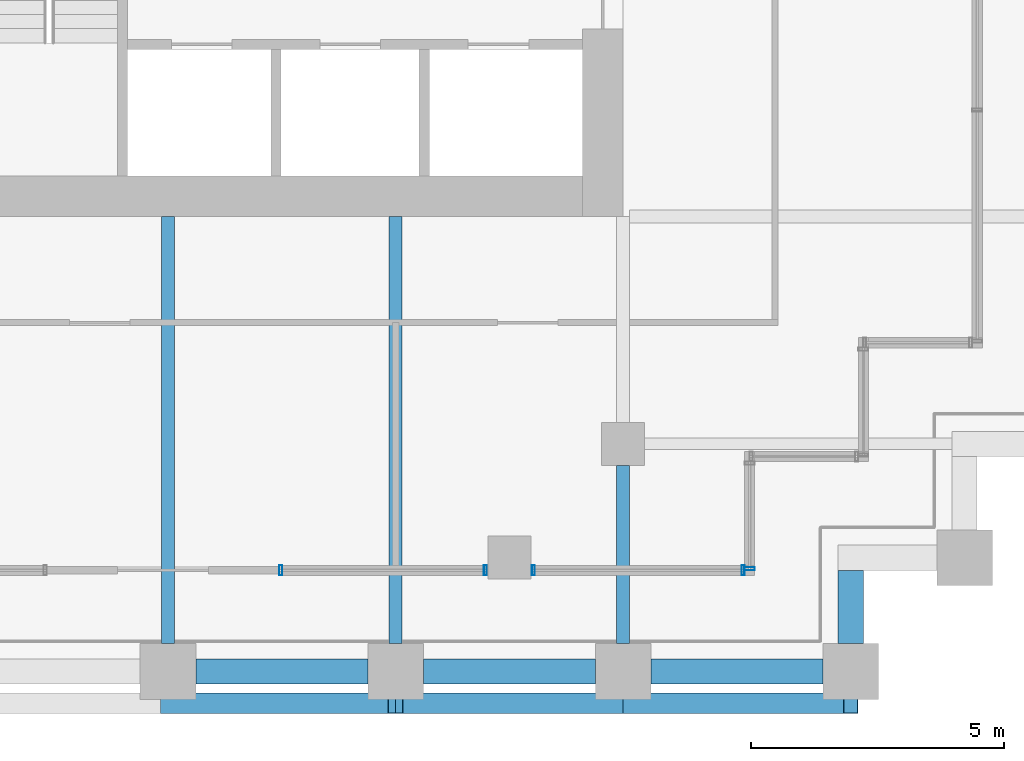
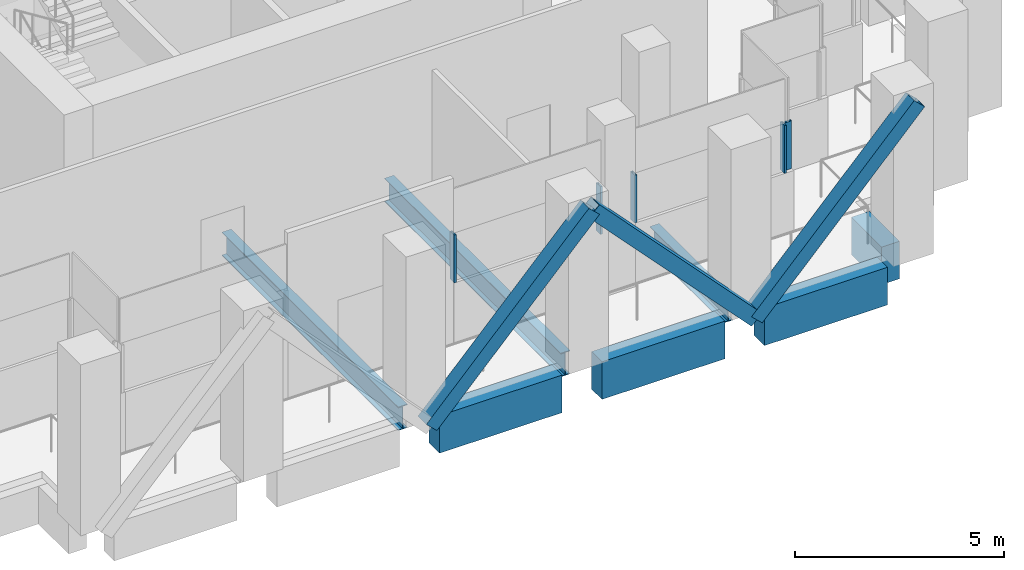
# One storey, part 26 of 44: 8 members, 7 beams, 3 elements without a shape of their own.
"""IFC4 building model written with IfcOpenShell, lengths in metres."""

from ifc_helpers import new_model, si_unit, direction, frame, origin, origin_2d, place, context, subcontext, project, spatial, rectangle, hollow_rectangle, i_section, extrude, material, material_profile, profile_set, type_object, element, aggregate, save


model = new_model("IFC4")

# Units and contexts
model_context = context("Model", 3, precision=1e-05, world=origin(), true_north=direction((0.0, 1.0)))
body_context = subcontext(model_context, "Body", "Model", "MODEL_VIEW")
ifc_project = project(units=[si_unit("LENGTHUNIT", "METRE"), si_unit("AREAUNIT", "SQUARE_METRE"), si_unit("VOLUMEUNIT", "CUBIC_METRE"), si_unit("PLANEANGLEUNIT", "RADIAN"), si_unit("MASSUNIT", "GRAM", prefix="KILO")], contexts=[model_context])

# Site, building, storey
site_placement = place(None, origin())
site = spatial("IfcSite", under=ifc_project, at=site_placement, CompositionType="ELEMENT")
building_placement = place(site_placement, origin())
building = spatial("IfcBuilding", under=site, at=building_placement, Name="Altepetl Exchange Towers", CompositionType="ELEMENT")
storey_placement = place(building_placement, frame((0.0, 0.0, 87.0)))
storey = spatial("IfcBuildingStorey", under=building, at=storey_placement, Name="L21 Refuge", CompositionType="ELEMENT", Elevation=87.0)

# Members
ifc_material_1 = material(Name="Steel S355", Category="steel")
ifc_material_profile_1 = material_profile(ifc_material_1, hollow_rectangle(XDim=0.406005859375, YDim=0.406005859375, WallThickness=0.014892578125, at=origin_2d()), Name="HSS406X406X15.9")
ifc_profile_set_1 = profile_set([ifc_material_profile_1], Name="Steel S355")
member_type_1 = type_object("IfcMemberType", Name="Belt diagonal HSS406X406X15.9", PredefinedType="BRACE", material=ifc_profile_set_1)
for number, where, z_axis, x_axis, name in (
    (1, (108.0, 26.3701171875, 0.0), (0.687744647911, 0.0, 0.725952683906), (0.0, 1.0, 0.0), "brc:B:L21:002"),
    (2, (112.5, 26.3701171875, 4.75), (0.687744647911, 0.0, -0.725952683906), (0.0, 1.0, 0.0), "brc:B:L21:003"),
    (3, (117.0, 26.3701171875, 0.0), (0.687744647911, 0.0, 0.725952683906), (0.0, 1.0, 0.0), "brc:B:L21:004"),
):
    element("IfcMember", number, at=place(storey_placement, frame(where, z_axis=z_axis, x_axis=x_axis)), inside=storey, type_object=member_type_1, Name=name, PredefinedType="BRACE", context=body_context, shape_type="SweptSolid", body=[
        extrude(hollow_rectangle(XDim=0.406005859375, YDim=0.406005859375, WallThickness=0.014892578125, at=origin_2d()), origin(), (0.0, 0.0, 1.0), 6.543212890625),
    ])

# Beams
ifc_material_profile_2 = material_profile(ifc_material_1, i_section(OverallWidth=0.25390625, OverallDepth=0.68798828125, WebThickness=0.01318359375, FlangeThickness=0.02099609375, at=origin_2d()), Name="W27X102")
ifc_profile_set_2 = profile_set([ifc_material_profile_2], Name="Steel S355")
beam_type_1 = type_object("IfcBeamType", Name="Floor beam W27X102", PredefinedType="BEAM", material=ifc_profile_set_2)
for number, where, z_axis, x_axis, name in (
    (4, (108.0, 27.550048828125, -0.5439453125), (0.0, 1.0, 0.0), (-1.0, 0.0, 0.0), "bm:B:L21:010"),
    (5, (112.5, 27.550048828125, -0.5439453125), (0.0, 1.0, 0.0), (-1.0, 0.0, 0.0), "bm:B:L21:011"),
):
    element("IfcBeam", number, at=place(storey_placement, frame(where, z_axis=z_axis, x_axis=x_axis)), inside=storey, type_object=beam_type_1, Name=name, PredefinedType="BEAM", context=body_context, shape_type="SweptSolid", body=[
        extrude(i_section(OverallWidth=0.25390625, OverallDepth=0.68798828125, WebThickness=0.01318359375, FlangeThickness=0.02099609375, at=origin_2d()), origin(), (0.0, 0.0, 1.0), 8.449951171875),
    ])
ifc_material_profile_3 = material_profile(ifc_material_1, i_section(OverallWidth=0.256103515625, OverallDepth=0.69189453125, WebThickness=0.014404296875, FlangeThickness=0.02294921875, at=origin_2d()), Name="W27X114")
ifc_profile_set_3 = profile_set([ifc_material_profile_3], Name="Steel S355")
beam_type_2 = type_object("IfcBeamType", Name="Girder W27X114", PredefinedType="BEAM", material=ifc_profile_set_3)
beam_1_placement = place(storey_placement, frame((117.0, 31.074951171875, -0.5458984375), z_axis=(0.0, -1.0, 0.0), x_axis=(1.0, 0.0, 0.0)))
element("IfcBeam", 6, at=beam_1_placement, inside=storey, type_object=beam_type_2, Name="gd:B:L21:005", PredefinedType="BEAM", context=body_context, shape_type="SweptSolid", body=[
    extrude(i_section(OverallWidth=0.256103515625, OverallDepth=0.69189453125, WebThickness=0.014404296875, FlangeThickness=0.02294921875, at=origin_2d()), origin(), (0.0, 0.0, 1.0), 3.52490234375),
])

# Curtain wall, members
ifc_material_2 = material(Name="Aluminium 6063-T6 glazing", Category="aluminium")
curtain_wall_type = type_object("IfcCurtainWallType", Name="Refuge slit glazing system", PredefinedType="NOTDEFINED", material=ifc_material_2)
curtain_wall_1_placement = place(storey_placement, origin())
curtain_wall_1 = element("IfcCurtainWall", 7, at=curtain_wall_1_placement, inside=storey, type_object=curtain_wall_type, Name="CW3 run", PredefinedType="NOTDEFINED")
ifc_material_3 = material(Name="Aluminium 6063-T6", Category="aluminium")
ifc_material_profile_4 = material_profile(ifc_material_3, hollow_rectangle(XDim=0.06005859375, YDim=0.199951171875, WallThickness=0.0029296875, at=origin_2d()), Name="Mullion 60x200 aluminium")
ifc_profile_set_4 = profile_set([ifc_material_profile_4], Name="Aluminium 6063-T6")
member_type_2 = type_object("IfcMemberType", Name="Mullion 60x200 aluminium", PredefinedType="MULLION", material=ifc_profile_set_4)
member_1_placement = place(storey_placement, frame((110.22998046875, 29.0, 1.800048828125)))
member_1 = element("IfcMember", 8, at=member_1_placement, type_object=member_type_2, Name="MU2 mullion", PredefinedType="MULLION", context=body_context, shape_type="SweptSolid", body=[
    extrude(hollow_rectangle(XDim=0.06005859375, YDim=0.199951171875, WallThickness=0.0029296875, at=origin_2d()), origin(), (0.0, 0.0, 1.0), 1.39990234375),
])
member_2_placement = place(storey_placement, frame((114.27490234375, 29.0, 1.800048828125)))
member_2 = element("IfcMember", 9, at=member_2_placement, type_object=member_type_2, Name="MU2 mullion", PredefinedType="MULLION", context=body_context, shape_type="SweptSolid", body=[
    extrude(hollow_rectangle(XDim=0.06005859375, YDim=0.199951171875, WallThickness=0.0029296875, at=origin_2d()), origin(), (0.0, 0.0, 1.0), 1.39990234375),
])
aggregate(curtain_wall_1, [member_1, member_2])

curtain_wall_2_placement = place(storey_placement, origin())
curtain_wall_2 = element("IfcCurtainWall", 10, at=curtain_wall_2_placement, inside=storey, type_object=curtain_wall_type, Name="CW3 run", PredefinedType="NOTDEFINED")
member_3_placement = place(storey_placement, frame((115.22509765625, 29.0, 1.800048828125)))
member_3 = element("IfcMember", 11, at=member_3_placement, type_object=member_type_2, Name="MU2 mullion", PredefinedType="MULLION", context=body_context, shape_type="SweptSolid", body=[
    extrude(hollow_rectangle(XDim=0.06005859375, YDim=0.199951171875, WallThickness=0.0029296875, at=origin_2d()), origin(), (0.0, 0.0, 1.0), 1.39990234375),
])
member_4_placement = place(storey_placement, frame((119.3701171875, 29.0, 1.800048828125)))
member_4 = element("IfcMember", 12, at=member_4_placement, type_object=member_type_2, Name="MU2 mullion", PredefinedType="MULLION", context=body_context, shape_type="SweptSolid", body=[
    extrude(hollow_rectangle(XDim=0.06005859375, YDim=0.199951171875, WallThickness=0.0029296875, at=origin_2d()), origin(), (0.0, 0.0, 1.0), 1.39990234375),
])
aggregate(curtain_wall_2, [member_3, member_4])

# Curtain wall, member
curtain_wall_3_placement = place(storey_placement, origin())
curtain_wall_3 = element("IfcCurtainWall", 13, at=curtain_wall_3_placement, inside=storey, type_object=curtain_wall_type, Name="CW3 run", PredefinedType="NOTDEFINED")
member_5_placement = place(storey_placement, frame((119.5, 29.030029296875, 1.800048828125), z_axis=(0.0, 0.0, 1.0), x_axis=(0.0, 1.0, 0.0)))
member_5 = element("IfcMember", 14, at=member_5_placement, type_object=member_type_2, Name="MU2 mullion", PredefinedType="MULLION", context=body_context, shape_type="SweptSolid", body=[
    extrude(hollow_rectangle(XDim=0.06005859375, YDim=0.199951171875, WallThickness=0.0029296875, at=origin_2d()), origin(), (0.0, 0.0, 1.0), 1.39990234375),
])
aggregate(curtain_wall_3, [member_5])

# Beams
ifc_material_4 = material(Name="Concrete C50/60 precast with cantera blanca facing", Category="concrete")
ifc_material_profile_5 = material_profile(ifc_material_4, rectangle(XDim=0.5, YDim=1.10009765625, at=origin_2d()), Name="500 x 1100")
ifc_profile_set_5 = profile_set([ifc_material_profile_5], Name="Concrete C50/60 precast with cantera blanca facing")
beam_type_3 = type_object("IfcBeamType", Name="Spandrel beam 500x1100 cantera blanca", PredefinedType="SPANDREL", material=ifc_profile_set_5)
beam_2_placement = place(storey_placement, frame((117.550048828125, 27.0, -0.75), z_axis=(1.0, 0.0, 0.0), x_axis=(0.0, 1.0, 0.0)))
element("IfcBeam", 15, at=beam_2_placement, inside=storey, type_object=beam_type_3, Name="sp:B:L21:004", PredefinedType="SPANDREL", context=body_context, shape_type="SweptSolid", body=[
    extrude(rectangle(XDim=0.5, YDim=1.10009765625, at=origin_2d()), origin(), (0.0, 0.0, 1.0), 3.39990234375),
])
beam_3_placement = place(storey_placement, frame((121.5, 27.550048828125, -0.75), z_axis=(0.0, 1.0, 0.0), x_axis=(-1.0, 0.0, 0.0)))
element("IfcBeam", 16, at=beam_3_placement, inside=storey, type_object=beam_type_3, Name="sp:B:L21:005", PredefinedType="SPANDREL", context=body_context, shape_type="SweptSolid", body=[
    extrude(rectangle(XDim=0.5, YDim=1.10009765625, at=origin_2d()), origin(), (0.0, 0.0, 1.0), 1.449951171875),
])
ifc_material_5 = material(Name="Concrete C50/60 precast with tezontle facing", Category="concrete")
ifc_material_profile_6 = material_profile(ifc_material_5, rectangle(XDim=0.5, YDim=1.10009765625, at=origin_2d()), Name="500 x 1100")
ifc_profile_set_6 = profile_set([ifc_material_profile_6], Name="Concrete C50/60 precast with tezontle facing")
beam_type_4 = type_object("IfcBeamType", Name="Spandrel beam 500x1100 tezontle", PredefinedType="SPANDREL", material=ifc_profile_set_6)
for number, where, z_axis, x_axis, name in (
    (17, (108.550048828125, 27.0, -0.75), (1.0, 0.0, 0.0), (0.0, 1.0, 0.0), "sp:B:L21:002"),
    (18, (113.050048828125, 27.0, -0.75), (1.0, 0.0, 0.0), (0.0, 1.0, 0.0), "sp:B:L21:003"),
):
    element("IfcBeam", number, at=place(storey_placement, frame(where, z_axis=z_axis, x_axis=x_axis)), inside=storey, type_object=beam_type_4, Name=name, PredefinedType="SPANDREL", context=body_context, shape_type="SweptSolid", body=[
        extrude(rectangle(XDim=0.5, YDim=1.10009765625, at=origin_2d()), origin(), (0.0, 0.0, 1.0), 3.39990234375),
    ])

save(model, "model.ifc")
